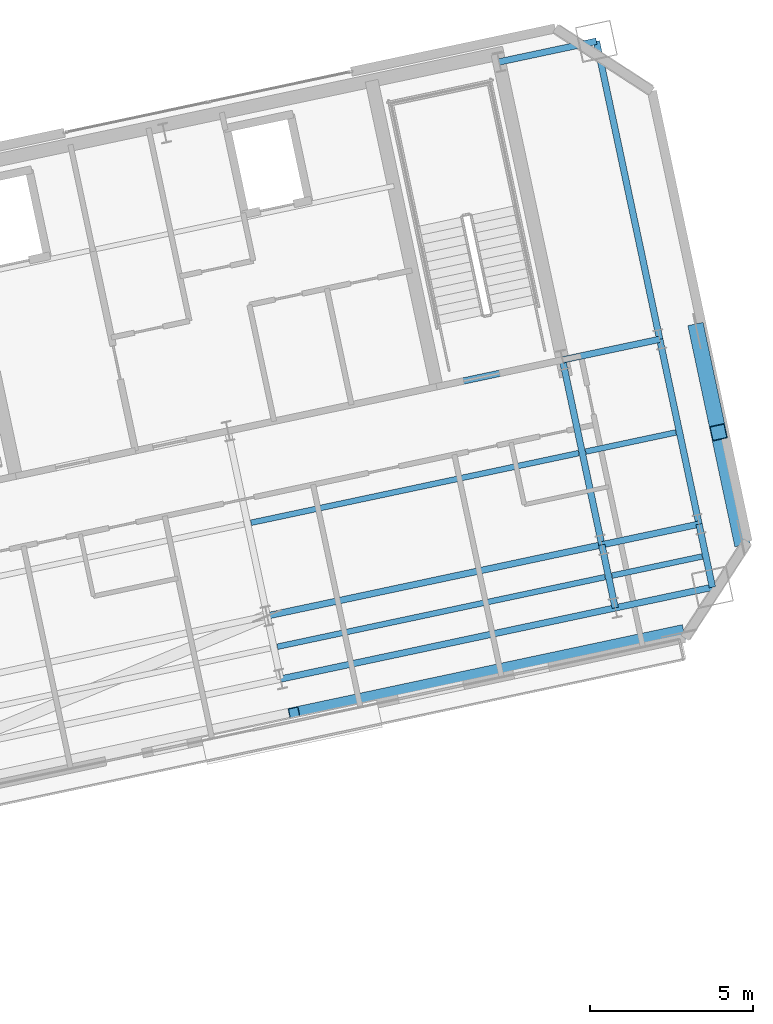
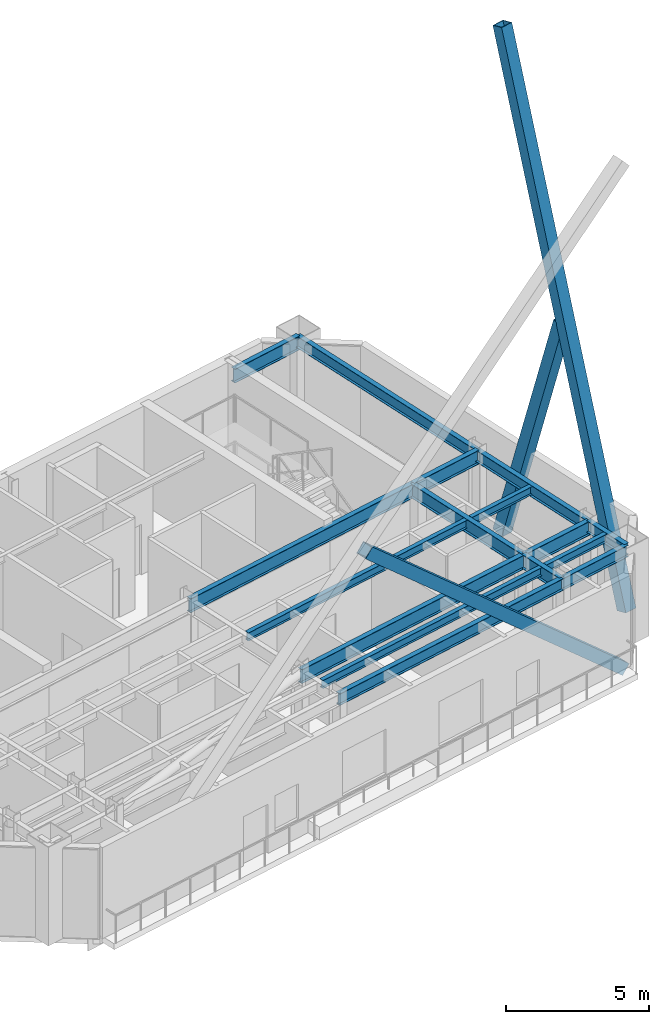
# One storey, part 12 of 23: 16 beams, 3 members.
"""IFC4 building model written with IfcOpenShell, lengths in metres."""

from ifc_helpers import new_model, si_unit, direction, frame, origin, origin_2d, place, context, subcontext, project, spatial, hollow_rectangle, i_section, extrude, material, material_profile, profile_set, type_object, element, save


model = new_model("IFC4")

# Units and contexts
model_context = context("Model", 3, precision=1e-05, world=origin(), true_north=direction((0.0, 1.0)))
body_context = subcontext(model_context, "Body", "Model", "MODEL_VIEW")
ifc_project = project(units=[si_unit("LENGTHUNIT", "METRE"), si_unit("AREAUNIT", "SQUARE_METRE"), si_unit("VOLUMEUNIT", "CUBIC_METRE"), si_unit("PLANEANGLEUNIT", "RADIAN"), si_unit("MASSUNIT", "GRAM", prefix="KILO")], contexts=[model_context])

# Site, building, storey
site_placement = place(None, origin())
site = spatial("IfcSite", under=ifc_project, at=site_placement, CompositionType="ELEMENT")
building_placement = place(site_placement, origin())
building = spatial("IfcBuilding", under=site, at=building_placement, Name="Haevon Station Towers", CompositionType="ELEMENT")
storey_placement = place(building_placement, frame((0.0, 0.0, 197.10009765625)))
storey = spatial("IfcBuildingStorey", under=building, at=storey_placement, Name="L54", CompositionType="ELEMENT", Elevation=197.10009765625)

# Beams
ifc_material_1 = material(Name="Steel S355", Category="steel")
ifc_material_profile_1 = material_profile(ifc_material_1, i_section(OverallWidth=0.199951171875, OverallDepth=0.60009765625, WebThickness=0.010986328125, FlangeThickness=0.01708984375, at=origin_2d()), Name="H-600x200x11x17")
ifc_profile_set_1 = profile_set([ifc_material_profile_1], Name="Steel S355")
beam_type_1 = type_object("IfcBeamType", Name="BM-G600", PredefinedType="BEAM", material=ifc_profile_set_1)
beam_1_placement = place(storey_placement, frame((110.228759765625, 33.9521484375, 3.599853515625), z_axis=(0.978146794194, 0.207915485254, 0.0), x_axis=(-0.207915485254, 0.978146794194, 0.0)))
element("IfcBeam", 1, at=beam_1_placement, inside=storey, type_object=beam_type_1, Name="BM-T2U-L54-02-03", PredefinedType="BEAM", context=body_context, shape_type="SweptSolid", body=[
    extrude(i_section(OverallWidth=0.199951171875, OverallDepth=0.60009765625, WebThickness=0.010986328125, FlangeThickness=0.01708984375, at=origin_2d()), origin(), (0.0, 0.0, 1.0), 10.5),
])
beam_2_placement = place(storey_placement, frame((120.499267578125, 36.13525390625, 3.599853515625), z_axis=(0.978138503145, 0.207954487003, 0.0), x_axis=(-0.207954487003, 0.978138503145, 0.0)))
element("IfcBeam", 2, at=beam_2_placement, inside=storey, type_object=beam_type_1, Name="BM-T2U-L54-02-04", PredefinedType="BEAM", context=body_context, shape_type="SweptSolid", body=[
    extrude(i_section(OverallWidth=0.199951171875, OverallDepth=0.60009765625, WebThickness=0.010986328125, FlangeThickness=0.01708984375, at=origin_2d()), origin(), (0.0, 0.0, 1.0), 3.050048828125),
])
beam_3_placement = place(storey_placement, frame((109.02294921875, 39.62548828125, 3.599853515625), z_axis=(0.978146794194, 0.207915485254, 0.0), x_axis=(-0.207915485254, 0.978146794194, 0.0)))
element("IfcBeam", 3, at=beam_3_placement, inside=storey, type_object=beam_type_1, Name="BM-T2U-L54-03-03", PredefinedType="BEAM", context=body_context, shape_type="SweptSolid", body=[
    extrude(i_section(OverallWidth=0.199951171875, OverallDepth=0.60009765625, WebThickness=0.010986328125, FlangeThickness=0.01708984375, at=origin_2d()), origin(), (0.0, 0.0, 1.0), 10.5),
])
for number, where, z_axis, x_axis, name in (
    (4, (119.29345703125, 41.80859375, 3.599853515625), (0.978154782045, 0.207877902534, 0.0), (-0.207877902534, 0.978154782045, 0.0), "BM-T2U-L54-03-04"),
    (5, (117.349365234375, 50.954345703125, 3.599853515625), (0.978154782045, 0.207877902534, 0.0), (-0.207877902534, 0.978154782045, 0.0), "BM-T2U-L54-04-04"),
):
    element("IfcBeam", number, at=place(storey_placement, frame(where, z_axis=z_axis, x_axis=x_axis)), inside=storey, type_object=beam_type_1, Name=name, PredefinedType="BEAM", context=body_context, shape_type="SweptSolid", body=[
        extrude(i_section(OverallWidth=0.199951171875, OverallDepth=0.60009765625, WebThickness=0.010986328125, FlangeThickness=0.01708984375, at=origin_2d()), origin(), (0.0, 0.0, 1.0), 3.050048828125),
    ])
beam_4_placement = place(storey_placement, frame((120.910888671875, 34.198486328125, 3.599853515625), z_axis=(-0.207886774674, 0.978152896492, 0.0), x_axis=(-0.978152896492, -0.207886774674, 0.0)))
element("IfcBeam", 6, at=beam_4_placement, inside=storey, type_object=beam_type_1, Name="BM-T2V-L54-04-01", PredefinedType="BEAM", context=body_context, shape_type="SweptSolid", body=[
    extrude(i_section(OverallWidth=0.199951171875, OverallDepth=0.60009765625, WebThickness=0.010986328125, FlangeThickness=0.01708984375, at=origin_2d()), origin(), (0.0, 0.0, 1.0), 1.97998046875),
])
beam_5_placement = place(storey_placement, frame((120.499267578125, 36.13525390625, 3.599853515625), z_axis=(-0.207896009217, 0.97815093383, 0.0), x_axis=(-0.97815093383, -0.207896009217, 0.0)))
element("IfcBeam", 7, at=beam_5_placement, inside=storey, type_object=beam_type_1, Name="BM-T2V-L54-04-02", PredefinedType="BEAM", context=body_context, shape_type="SweptSolid", body=[
    extrude(i_section(OverallWidth=0.199951171875, OverallDepth=0.60009765625, WebThickness=0.010986328125, FlangeThickness=0.01708984375, at=origin_2d()), origin(), (0.0, 0.0, 1.0), 5.800048828125),
])
ifc_material_profile_2 = material_profile(ifc_material_1, i_section(OverallWidth=0.175048828125, OverallDepth=0.35009765625, WebThickness=0.007080078125, FlangeThickness=0.010986328125, at=origin_2d()), Name="H-350x175x7x11")
ifc_profile_set_2 = profile_set([ifc_material_profile_2], Name="Steel S355")
beam_type_2 = type_object("IfcBeamType", Name="BM-J350", PredefinedType="JOIST", material=ifc_profile_set_2)
beam_6_placement = place(storey_placement, frame((110.542236328125, 33.0068359375, 3.724853515625), z_axis=(0.978150339653, 0.207898804801, 0.0), x_axis=(-0.207898804801, 0.978150339653, 0.0)))
element("IfcBeam", 8, at=beam_6_placement, inside=storey, type_object=beam_type_2, Name="BM-T2J-L54-01-03", PredefinedType="JOIST", context=body_context, shape_type="SweptSolid", body=[
    extrude(i_section(OverallWidth=0.175048828125, OverallDepth=0.35009765625, WebThickness=0.007080078125, FlangeThickness=0.010986328125, at=origin_2d()), origin(), (0.0, 0.0, 1.0), 10.280029296875),
])
beam_7_placement = place(storey_placement, frame((120.812744140625, 35.189697265625, 3.724853515625), z_axis=(0.9781470094, 0.207914472804, 0.0), x_axis=(-0.207914472804, 0.9781470094, 0.0)))
element("IfcBeam", 9, at=beam_7_placement, inside=storey, type_object=beam_type_2, Name="BM-T2J-L54-01-04", PredefinedType="JOIST", context=body_context, shape_type="SweptSolid", body=[
    extrude(i_section(OverallWidth=0.175048828125, OverallDepth=0.35009765625, WebThickness=0.007080078125, FlangeThickness=0.010986328125, at=origin_2d()), origin(), (0.0, 0.0, 1.0), 2.829833984375),
])
beam_8_placement = place(storey_placement, frame((109.7333984375, 36.811767578125, 3.724853515625), z_axis=(0.978150339653, 0.207898804801, 0.0), x_axis=(-0.207898804801, 0.978150339653, 0.0)))
element("IfcBeam", 10, at=beam_8_placement, inside=storey, type_object=beam_type_2, Name="BM-T2J-L54-02-03", PredefinedType="JOIST", context=body_context, shape_type="SweptSolid", body=[
    extrude(i_section(OverallWidth=0.175048828125, OverallDepth=0.35009765625, WebThickness=0.007080078125, FlangeThickness=0.010986328125, at=origin_2d()), origin(), (0.0, 0.0, 1.0), 10.280029296875),
])
beam_9_placement = place(storey_placement, frame((120.00390625, 38.994873046875, 3.724853515625), z_axis=(0.978150738312, 0.207896929124, 0.0), x_axis=(-0.207896929124, 0.978150738312, 0.0)))
element("IfcBeam", 11, at=beam_9_placement, inside=storey, type_object=beam_type_2, Name="BM-T2J-L54-02-04", PredefinedType="JOIST", context=body_context, shape_type="SweptSolid", body=[
    extrude(i_section(OverallWidth=0.175048828125, OverallDepth=0.35009765625, WebThickness=0.007080078125, FlangeThickness=0.010986328125, at=origin_2d()), origin(), (0.0, 0.0, 1.0), 2.830078125),
])
ifc_material_profile_3 = material_profile(ifc_material_1, i_section(OverallWidth=0.199951171875, OverallDepth=0.5, WebThickness=0.010009765625, FlangeThickness=0.01611328125, at=origin_2d()), Name="H-500x200x10x16")
ifc_profile_set_3 = profile_set([ifc_material_profile_3], Name="Steel S355")
beam_type_3 = type_object("IfcBeamType", Name="BM-SP500", PredefinedType="SPANDREL", material=ifc_profile_set_3)
beam_10_placement = place(storey_placement, frame((110.640380859375, 32.015380859375, 3.64990234375), z_axis=(0.978146794194, 0.207915485254, 0.0), x_axis=(-0.207915485254, 0.978146794194, 0.0)))
element("IfcBeam", 12, at=beam_10_placement, inside=storey, type_object=beam_type_3, Name="BM-T2U-L54-01-03", PredefinedType="SPANDREL", context=body_context, shape_type="SweptSolid", body=[
    extrude(i_section(OverallWidth=0.199951171875, OverallDepth=0.5, WebThickness=0.010009765625, FlangeThickness=0.01611328125, at=origin_2d()), origin(), (0.0, 0.0, 1.0), 10.5),
])
beam_11_placement = place(storey_placement, frame((120.910888671875, 34.198486328125, 3.64990234375), z_axis=(0.978138503145, 0.207954487003, 0.0), x_axis=(-0.207954487003, 0.978138503145, 0.0)))
element("IfcBeam", 13, at=beam_11_placement, inside=storey, type_object=beam_type_3, Name="BM-T2U-L54-01-04", PredefinedType="SPANDREL", context=body_context, shape_type="SweptSolid", body=[
    extrude(i_section(OverallWidth=0.199951171875, OverallDepth=0.5, WebThickness=0.010009765625, FlangeThickness=0.01611328125, at=origin_2d()), origin(), (0.0, 0.0, 1.0), 3.050048828125),
])
beam_12_placement = place(storey_placement, frame((123.894287109375, 34.832763671875, 3.64990234375), z_axis=(-0.207886774674, 0.978152896492, 0.0), x_axis=(-0.978152896492, -0.207886774674, 0.0)))
element("IfcBeam", 14, at=beam_12_placement, inside=storey, type_object=beam_type_3, Name="BM-T2V-L54-05-01", PredefinedType="SPANDREL", context=body_context, shape_type="SweptSolid", body=[
    extrude(i_section(OverallWidth=0.199951171875, OverallDepth=0.5, WebThickness=0.010009765625, FlangeThickness=0.01611328125, at=origin_2d()), origin(), (0.0, 0.0, 1.0), 1.97998046875),
])
beam_13_placement = place(storey_placement, frame((123.482666015625, 36.76953125, 3.64990234375), z_axis=(-0.207904569273, 0.978149114438, 0.0), x_axis=(-0.978149114438, -0.207904569273, 0.0)))
element("IfcBeam", 15, at=beam_13_placement, inside=storey, type_object=beam_type_3, Name="BM-T2V-L54-05-02", PredefinedType="SPANDREL", context=body_context, shape_type="SweptSolid", body=[
    extrude(i_section(OverallWidth=0.199951171875, OverallDepth=0.5, WebThickness=0.010009765625, FlangeThickness=0.01611328125, at=origin_2d()), origin(), (0.0, 0.0, 1.0), 5.7998046875),
])
beam_14_placement = place(storey_placement, frame((122.27685546875, 42.442626953125, 3.64990234375), z_axis=(-0.207922149488, 0.978145377616, 0.0), x_axis=(-0.978145377616, -0.207922149488, 0.0)))
element("IfcBeam", 16, at=beam_14_placement, inside=storey, type_object=beam_type_3, Name="BM-T2V-L54-05-03", PredefinedType="SPANDREL", context=body_context, shape_type="SweptSolid", body=[
    extrude(i_section(OverallWidth=0.199951171875, OverallDepth=0.5, WebThickness=0.010009765625, FlangeThickness=0.01611328125, at=origin_2d()), origin(), (0.0, 0.0, 1.0), 9.35009765625),
])

# Members
ifc_material_2 = material(Name="Steel S460", Category="steel")
ifc_material_profile_4 = material_profile(ifc_material_2, hollow_rectangle(XDim=0.47998046875, YDim=0.47998046875, WallThickness=0.02490234375, at=origin_2d()), Name="RHS-480x480x25")
ifc_profile_set_4 = profile_set([ifc_material_profile_4], Name="Steel S460")
member_type = type_object("IfcMemberType", Name="MB-480", PredefinedType="BRACE", material=ifc_profile_set_4)
member_1_placement = place(storey_placement, frame((122.865966796875, 33.41796875, -0.1201171875), z_axis=(-0.734164109184, -0.156048995601, 0.660796316393), x_axis=(0.207908627436, -0.978148251871, 0.0)))
element("IfcMember", 17, at=member_1_placement, inside=storey, type_object=member_type, Name="BR-T2MB-T08-S-D2A", PredefinedType="BRACE", context=body_context, shape_type="SweptSolid", body=[
    extrude(hollow_rectangle(XDim=0.47998046875, YDim=0.47998046875, WallThickness=0.02490234375, at=origin_2d()), origin(), (0.0, 0.0, 1.0), 16.069091796875),
])
member_2_placement = place(storey_placement, frame((124.7685546875, 36.34765625, -0.1201171875), z_axis=(-0.059825428189, 0.281425578299, 0.957716326488), x_axis=(-0.978142953077, -0.20793355512, 0.0)))
element("IfcMember", 18, at=member_2_placement, inside=storey, type_object=member_type, Name="BR-T2MB-T08-E-D1", PredefinedType="BRACE", context=body_context, shape_type="SweptSolid", body=[
    extrude(hollow_rectangle(XDim=0.47998046875, YDim=0.47998046875, WallThickness=0.02490234375, at=origin_2d()), origin(), (0.0, 0.0, 1.0), 22.5224609375),
])
member_3_placement = place(storey_placement, frame((123.421142578125, 42.68603515625, -0.1201171875), z_axis=(0.059830740634, -0.281435110966, 0.957713193389), x_axis=(0.978140630192, 0.207944481937, 0.0)))
element("IfcMember", 19, at=member_3_placement, inside=storey, type_object=member_type, Name="BR-T2MB-T08-E-D2A", PredefinedType="BRACE", context=body_context, shape_type="SweptSolid", body=[
    extrude(hollow_rectangle(XDim=0.47998046875, YDim=0.47998046875, WallThickness=0.02490234375, at=origin_2d()), origin(), (0.0, 0.0, 1.0), 11.00927734375),
])

save(model, "model.ifc")
